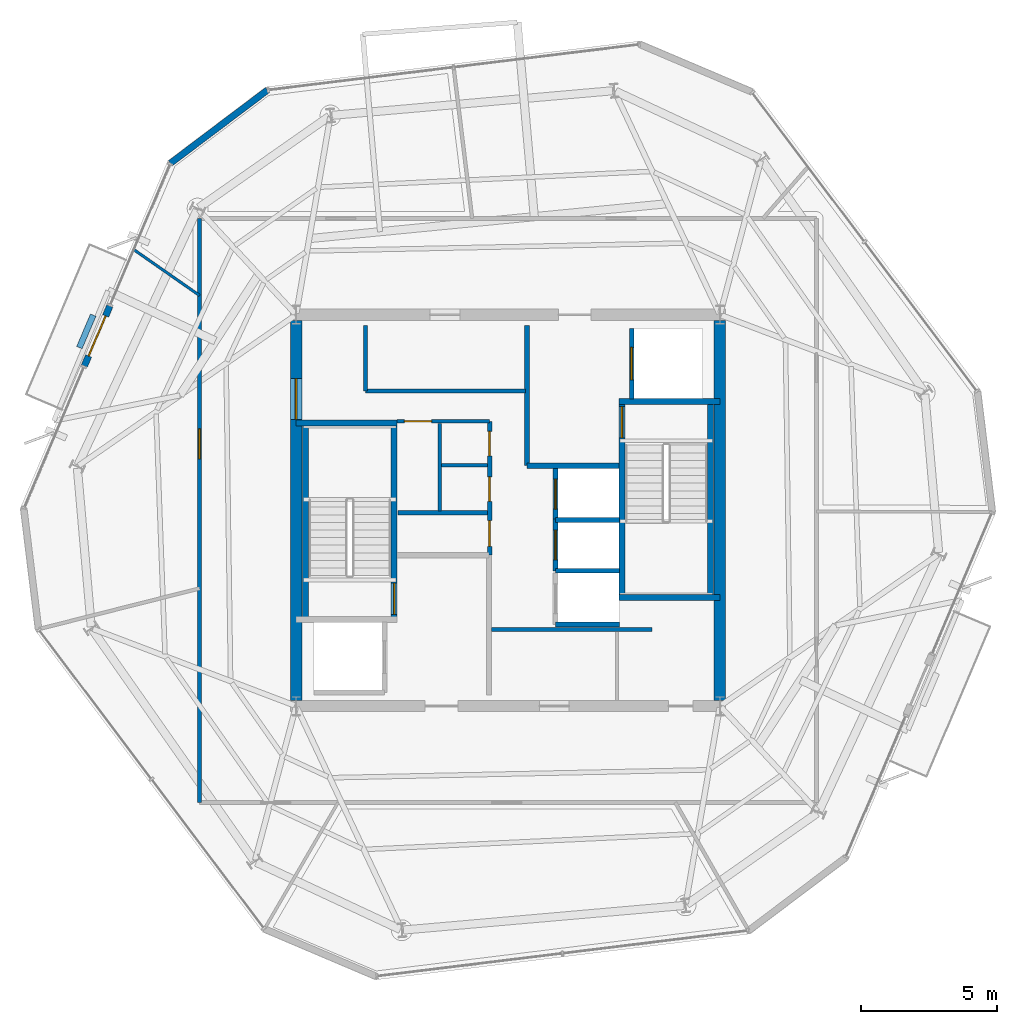
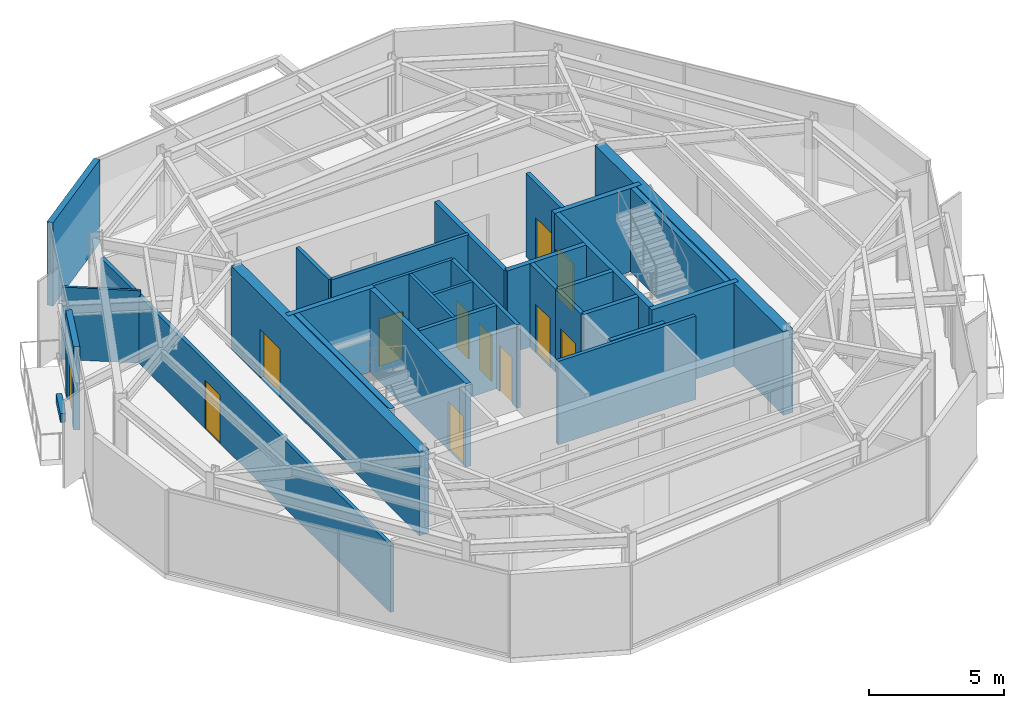
# One storey, part 7 of 11: 30 walls, 12 doors, 12 openings.
"""IFC4 building model written with IfcOpenShell, lengths in metres."""

from ifc_helpers import new_model, si_unit, direction, frame, frame_2d, origin, place, context, subcontext, project, spatial, rectangle, extrude, material, layer, layer_set, type_object, element, fill, save


model = new_model("IFC4")

# Units and contexts
model_context = context("Model", 3, precision=1e-05, world=origin(), true_north=direction((0.0, 1.0)))
body_context = subcontext(model_context, "Body", "Model", "MODEL_VIEW")
ifc_project = project(units=[si_unit("LENGTHUNIT", "METRE"), si_unit("AREAUNIT", "SQUARE_METRE"), si_unit("VOLUMEUNIT", "CUBIC_METRE"), si_unit("PLANEANGLEUNIT", "RADIAN"), si_unit("MASSUNIT", "GRAM", prefix="KILO")], contexts=[model_context])

# Site, building, storey
site_placement = place(None, origin())
site = spatial("IfcSite", under=ifc_project, at=site_placement, CompositionType="ELEMENT")
building_placement = place(site_placement, origin())
building = spatial("IfcBuilding", under=site, at=building_placement, Name="Kranzbogen Civic Tower", CompositionType="ELEMENT")
storey_placement = place(building_placement, frame((0.0, 0.0, 294.199951171875)))
storey = spatial("IfcBuildingStorey", under=building, at=storey_placement, Name="L71", CompositionType="ELEMENT", Elevation=294.199951171875)

# Walls
ifc_material_1 = material(Name="Double-Stud Acoustic Gypsum Partition")
ifc_layer_1 = layer(ifc_material_1, 0.14990234375, Name="Double-Stud Acoustic Gypsum Partition")
ifc_layer_set_1 = layer_set([ifc_layer_1], Name="Double-Stud Acoustic Gypsum Partition")
wall_type_1 = type_object("IfcWallType", Name="Acoustic Corridor and Clinical Partition 150 mm", PredefinedType="PARTITIONING", material=ifc_layer_set_1)
wall_1_placement = place(storey_placement, frame((24.39990234375, 20.610107421875, 0.0), z_axis=(0.0, 0.0, 1.0), x_axis=(1.0, 0.0, 0.0)))
element("IfcWall", 1, at=wall_1_placement, inside=storey, type_object=wall_type_1, Name="L71 records zone North wall", PredefinedType="PARTITIONING", context=body_context, shape_type="SweptSolid", body=[
    extrude(rectangle(XDim=5.900146484375, YDim=0.14990234375, at=frame_2d((2.9501953125, 0.0))), origin(), (0.0, 0.0, 1.0), 3.780029296875),
])
wall_2_placement = place(storey_placement, frame((19.75, 29.389892578125, 0.0), z_axis=(0.0, 0.0, 1.0), x_axis=(1.0, 0.0, 0.0)))
element("IfcWall", 2, at=wall_2_placement, inside=storey, type_object=wall_type_1, Name="L71 digital comms South wall", PredefinedType="PARTITIONING", context=body_context, shape_type="SweptSolid", body=[
    extrude(rectangle(XDim=5.89990234375, YDim=0.14990234375, at=frame_2d((2.949951171875, 0.0))), origin(), (0.0, 0.0, 1.0), 3.780029296875),
])
wall_3_placement = place(storey_placement, frame((19.75, 29.389892578125, 0.0), z_axis=(0.0, 0.0, 1.0), x_axis=(0.0, 1.0, 0.0)))
element("IfcWall", 3, at=wall_3_placement, inside=storey, type_object=wall_type_1, Name="L71 digital comms West wall", PredefinedType="PARTITIONING", context=body_context, shape_type="SweptSolid", body=[
    extrude(rectangle(XDim=2.41015625, YDim=0.14990234375, at=frame_2d((1.205078125, 0.0))), origin(), (0.0, 0.0, 1.0), 3.780029296875),
])

# Wall, opening, door
wall_4_placement = place(storey_placement, frame((13.64990234375, 14.25, 0.0), z_axis=(0.0, 0.0, 1.0), x_axis=(0.0, 1.0, 0.0)))
wall_4 = element("IfcWall", 4, at=wall_4_placement, inside=storey, type_object=wall_type_1, Name="L71 corridor partition 04", PredefinedType="PARTITIONING", context=body_context, shape_type="SweptSolid", body=[
    extrude(rectangle(XDim=21.5, YDim=0.14990234375, at=frame_2d((10.75, 0.0))), origin(), (0.0, 0.0, 1.0), 3.050048828125),
])
opening_1_placement = place(wall_4_placement, frame((12.64990234375, 0.0, 0.0)))
opening_1 = element("IfcOpeningElement", 5, at=opening_1_placement, cuts=wall_4, Name="Opening D-COR60", PredefinedType="OPENING", context=body_context, shape_type="SweptSolid", body=[
    extrude(rectangle(XDim=1.10009765625, YDim=2.199951171875, at=frame_2d((0.550048828125, 1.10009765625))), frame((0.0, 0.0849609375, 0.0), z_axis=(0.0, -1.0, 0.0), x_axis=(1.0, 0.0, 0.0)), (0.0, 0.0, 1.0), 0.169921875),
])
ifc_material_2 = material(Name="Oak Timber and Fire Core", Category="wood")
door_type_1 = type_object("IfcDoorType", Name="Corridor Acoustic Fire Door 1100x2200", OperationType="NOTDEFINED", PredefinedType="DOOR", material=ifc_material_2)
door_1_placement = place(opening_1_placement, origin())
door_1 = element("IfcDoor", 6, at=door_1_placement, inside=storey, type_object=door_type_1, Name="L71 Civic Reference Library door", OperationType="SINGLE_SWING_RIGHT", OverallHeight=2.199951171875, OverallWidth=1.10009765625, PredefinedType="DOOR", context=body_context, shape_type="SweptSolid", body=[
    extrude(rectangle(XDim=1.10009765625, YDim=2.199951171875, at=frame_2d((0.550048828125, 1.10009765625))), frame((0.0, 0.02490234375, 0.0), z_axis=(0.0, -1.0, 0.0), x_axis=(1.0, 0.0, 0.0)), (0.0, 0.0, 1.0), 0.050048828125),
])
fill(opening_1, door_1)

ifc_material_3 = material(Name="Insulated Metal-Stud Gypsum Partition")
ifc_layer_2 = layer(ifc_material_3, 0.125, Name="Insulated Metal-Stud Gypsum Partition")
ifc_layer_set_2 = layer_set([ifc_layer_2], Name="Insulated Metal-Stud Gypsum Partition")
wall_type_2 = type_object("IfcWallType", Name="Acoustic Inter-Room Partition 125 mm", PredefinedType="PARTITIONING", material=ifc_layer_set_2)
wall_5_placement = place(storey_placement, frame((20.919921875, 28.280029296875, 0.0), z_axis=(0.0, 0.0, 1.0), x_axis=(1.0, 0.0, 0.0)))
wall_5 = element("IfcWall", 7, at=wall_5_placement, inside=storey, type_object=wall_type_2, Name="L71 core auxiliary North wall", PredefinedType="PARTITIONING", context=body_context, shape_type="SweptSolid", body=[
    extrude(rectangle(XDim=3.405029296875, YDim=0.125, at=frame_2d((1.70263671875, 0.0))), origin(), (0.0, 0.0, 1.0), 3.780029296875),
])
opening_2_placement = place(wall_5_placement, frame((0.27001953125, 0.0, 0.0)))
opening_2 = element("IfcOpeningElement", 8, at=opening_2_placement, cuts=wall_5, Name="Opening D-RSR10", PredefinedType="OPENING", context=body_context, shape_type="SweptSolid", body=[
    extrude(rectangle(XDim=1.0, YDim=2.14990234375, at=frame_2d((0.5, 1.074951171875))), frame((0.0, 0.072509765625, 0.0), z_axis=(0.0, -1.0, 0.0), x_axis=(1.0, 0.0, 0.0)), (0.0, 0.0, 1.0), 0.14501953125),
])
door_type_2 = type_object("IfcDoorType", Name="Core Archive and Riser Fire Door 1000x2150", OperationType="NOTDEFINED", PredefinedType="DOOR", material=ifc_material_2)
door_2_placement = place(opening_2_placement, origin())
door_2 = element("IfcDoor", 9, at=door_2_placement, inside=storey, type_object=door_type_2, Name="L71 Floor Supply Store door", OperationType="SINGLE_SWING_RIGHT", OverallHeight=2.14990234375, OverallWidth=1.0, PredefinedType="DOOR", context=body_context, shape_type="SweptSolid", body=[
    extrude(rectangle(XDim=1.0, YDim=2.14990234375, at=frame_2d((0.5, 1.074951171875))), frame((0.0, 0.02490234375, 0.0), z_axis=(0.0, -1.0, 0.0), x_axis=(1.0, 0.0, 0.0)), (0.0, 0.0, 1.0), 0.050048828125),
])
fill(opening_2, door_2)

# Walls
wall_6_placement = place(storey_placement, frame((22.489990234375, 24.969970703125, 0.0), z_axis=(0.0, 0.0, 1.0), x_axis=(0.0, 1.0, 0.0)))
element("IfcWall", 10, at=wall_6_placement, inside=storey, type_object=wall_type_2, Name="L71 core auxiliary partition 3", PredefinedType="PARTITIONING", context=body_context, shape_type="SweptSolid", body=[
    extrude(rectangle(XDim=3.22998046875, YDim=0.125, at=frame_2d((1.614990234375, 0.0))), origin(), (0.0, 0.0, 1.0), 3.780029296875),
])
wall_7_placement = place(storey_placement, frame((22.550048828125, 26.659912109375, 0.0), z_axis=(0.0, 0.0, 1.0), x_axis=(1.0, 0.0, 0.0)))
element("IfcWall", 11, at=wall_7_placement, inside=storey, type_object=wall_type_2, Name="L71 core auxiliary partition 4", PredefinedType="PARTITIONING", context=body_context, shape_type="SweptSolid", body=[
    extrude(rectangle(XDim=1.699951171875, YDim=0.125, at=frame_2d((0.85009765625, 0.0))), origin(), (0.0, 0.0, 1.0), 3.780029296875),
])
ifc_material_4 = material(Name="Architectural Precast Terracotta Concrete C40/50", Category="masonry")
ifc_layer_3 = layer(ifc_material_4, 0.219970703125, Name="Architectural Precast Terracotta Concrete C40/50")
ifc_layer_set_3 = layer_set([ifc_layer_3], Name="Architectural Precast Terracotta Concrete C40/50")
wall_type_3 = type_object("IfcWallType", Name="Architectural Tree Planter Kerb Wall 220 mm", PredefinedType="USERDEFINED", material=ifc_layer_set_3)
wall_8_placement = place(storey_placement, frame((9.73193359375, 32.18701171875, 0.0), z_axis=(0.0, 0.0, 1.0), x_axis=(-0.390810390969, -0.920471204498, 0.0)))
element("IfcWall", 12, at=wall_8_placement, inside=storey, type_object=wall_type_3, Name="L71 landscaped tree balcony planter L71-TB1", ObjectType="PLANTER_WALL", PredefinedType="USERDEFINED", context=body_context, shape_type="SweptSolid", body=[
    extrude(rectangle(XDim=1.29931640625, YDim=0.219970703125, at=frame_2d((0.649658203125, 0.0))), origin(), (0.0, 0.0, 1.0), 0.400146484375),
])

# Wall, opening, door
ifc_material_5 = material(Name="Concrete C45/55", Category="concrete")
ifc_layer_4 = layer(ifc_material_5, 0.419921875, Name="Concrete C45/55")
ifc_layer_set_4 = layer_set([ifc_layer_4], Name="Concrete C45/55")
wall_type_4 = type_object("IfcWallType", Name="Central Core Shear Wall 420 mm", PredefinedType="SHEAR", material=ifc_layer_set_4)
wall_9_placement = place(storey_placement, frame((17.199951171875, 31.989990234375, 0.0), z_axis=(0.0, 0.0, 1.0), x_axis=(0.0, -1.0, 0.0)))
wall_9 = element("IfcWall", 13, at=wall_9_placement, inside=storey, type_object=wall_type_4, Name="L71 central core West shear wall", PredefinedType="SHEAR", context=body_context, shape_type="SweptSolid", body=[
    extrude(rectangle(XDim=13.97998046875, YDim=0.419921875, at=frame_2d((6.989990234375, 0.0))), origin(), (0.0, 0.0, 1.0), 3.780029296875),
])
opening_3_placement = place(wall_9_placement, frame((2.139892578125, 0.0, 0.0)))
opening_3 = element("IfcOpeningElement", 14, at=opening_3_placement, cuts=wall_9, Name="Opening D-DBL15", PredefinedType="OPENING", context=body_context, shape_type="SweptSolid", body=[
    extrude(rectangle(XDim=1.5, YDim=2.199951171875, at=frame_2d((0.75, 1.10009765625))), frame((0.0, 0.219970703125, 0.0), z_axis=(0.0, -1.0, 0.0), x_axis=(1.0, 0.0, 0.0)), (0.0, 0.0, 1.0), 0.43994140625),
])
ifc_material_6 = material(Name="Anodised Bronze and Glass", Category="glass")
door_type_3 = type_object("IfcDoorType", Name="Civic Lobby Double Door 1500x2200", OperationType="DOUBLE_DOOR_SINGLE_SWING", PredefinedType="DOOR", material=ifc_material_6)
door_3_placement = place(opening_3_placement, origin())
door_3 = element("IfcDoor", 15, at=door_3_placement, inside=storey, type_object=door_type_3, Name="L71 Central Lift Lobby West concourse door", OperationType="DOUBLE_DOOR_SINGLE_SWING", OverallHeight=2.199951171875, OverallWidth=1.5, PredefinedType="DOOR", context=body_context, shape_type="SweptSolid", body=[
    extrude(rectangle(XDim=1.5, YDim=2.199951171875, at=frame_2d((0.75, 1.10009765625))), frame((0.0, 0.02490234375, 0.0), z_axis=(0.0, -1.0, 0.0), x_axis=(1.0, 0.0, 0.0)), (0.0, 0.0, 1.0), 0.050048828125),
])
fill(opening_3, door_3)

# Wall
wall_10_placement = place(storey_placement, frame((32.800048828125, 18.010009765625, 0.0), z_axis=(0.0, 0.0, 1.0), x_axis=(0.0, 1.0, 0.0)))
element("IfcWall", 16, at=wall_10_placement, inside=storey, type_object=wall_type_4, Name="L71 central core East shear wall", PredefinedType="SHEAR", context=body_context, shape_type="SweptSolid", body=[
    extrude(rectangle(XDim=13.97998046875, YDim=0.419921875, at=frame_2d((6.989990234375, 0.0))), origin(), (0.0, 0.0, 1.0), 3.780029296875),
])

# Wall, opening, door
ifc_layer_5 = layer(ifc_material_5, 0.219970703125, Name="Concrete C45/55")
ifc_layer_set_5 = layer_set([ifc_layer_5], Name="Concrete C45/55")
wall_type_5 = type_object("IfcWallType", Name="Core Internal Stair Structural Wall 220 mm", PredefinedType="SOLIDWALL", material=ifc_layer_set_5)
wall_11_placement = place(storey_placement, frame((20.81005859375, 20.989990234375, 0.0), z_axis=(0.0, 0.0, 1.0), x_axis=(0.0, 1.0, 0.0)))
wall_11 = element("IfcWall", 17, at=wall_11_placement, inside=storey, type_object=wall_type_5, Name="L71 ST-T1 East structural stair wall", PredefinedType="SOLIDWALL", context=body_context, shape_type="SweptSolid", body=[
    extrude(rectangle(XDim=7.219970703125, YDim=0.219970703125, at=frame_2d((3.60986328125, 0.0))), origin(), (0.0, 0.0, 1.0), 3.780029296875),
])
opening_4_placement = place(wall_11_placement, frame((0.179931640625, 0.0, 0.0)))
opening_4 = element("IfcOpeningElement", 18, at=opening_4_placement, cuts=wall_11, Name="Opening D-ST90", PredefinedType="OPENING", context=body_context, shape_type="SweptSolid", body=[
    extrude(rectangle(XDim=1.14990234375, YDim=2.199951171875, at=frame_2d((0.574951171875, 1.10009765625))), frame((0.0, 0.1201171875, 0.0), z_axis=(0.0, -1.0, 0.0), x_axis=(1.0, 0.0, 0.0)), (0.0, 0.0, 1.0), 0.239990234375),
])
ifc_material_7 = material(Name="Steel S355", Category="steel")
door_type_4 = type_object("IfcDoorType", Name="Pressurized Stair and Lobby Fire Door 1150x2200", OperationType="NOTDEFINED", PredefinedType="DOOR", material=ifc_material_7)
door_4_placement = place(opening_4_placement, origin())
door_4 = element("IfcDoor", 19, at=door_4_placement, inside=storey, type_object=door_type_4, Name="L71 Stair ST-T1 fire door", OperationType="SINGLE_SWING_LEFT", OverallHeight=2.199951171875, OverallWidth=1.14990234375, PredefinedType="DOOR", context=body_context, shape_type="SweptSolid", body=[
    extrude(rectangle(XDim=1.14990234375, YDim=2.199951171875, at=frame_2d((0.574951171875, 1.10009765625))), frame((0.0, 0.02490234375, 0.0), z_axis=(0.0, -1.0, 0.0), x_axis=(1.0, 0.0, 0.0)), (0.0, 0.0, 1.0), 0.050048828125),
])
fill(opening_4, door_4)

# Walls
wall_12_placement = place(storey_placement, frame((17.199951171875, 28.2099609375, 0.0), z_axis=(0.0, 0.0, 1.0), x_axis=(1.0, 0.0, 0.0)))
element("IfcWall", 20, at=wall_12_placement, inside=storey, type_object=wall_type_5, Name="L71 ST-T1 North structural stair wall", PredefinedType="SOLIDWALL", context=body_context, shape_type="SweptSolid", body=[
    extrude(rectangle(XDim=3.719970703125, YDim=0.219970703125, at=frame_2d((1.85986328125, 0.0))), origin(), (0.0, 0.0, 1.0), 3.780029296875),
])
wall_13_placement = place(storey_placement, frame((17.554931640625, 28.2099609375, 0.0), z_axis=(0.0, 0.0, 1.0), x_axis=(0.0, -1.0, 0.0)))
element("IfcWall", 21, at=wall_13_placement, inside=storey, type_object=wall_type_5, Name="L71 ST-T1 West structural stair wall", PredefinedType="SOLIDWALL", context=body_context, shape_type="SweptSolid", body=[
    extrude(rectangle(XDim=7.219970703125, YDim=0.219970703125, at=frame_2d((3.60986328125, 0.0))), origin(), (0.0, 0.0, 1.0), 3.780029296875),
])

# Wall, opening, door
wall_14_placement = place(storey_placement, frame((29.18994140625, 21.7900390625, 0.0), z_axis=(0.0, 0.0, 1.0), x_axis=(0.0, 1.0, 0.0)))
wall_14 = element("IfcWall", 22, at=wall_14_placement, inside=storey, type_object=wall_type_5, Name="L71 ST-T2 West structural stair wall", PredefinedType="SOLIDWALL", context=body_context, shape_type="SweptSolid", body=[
    extrude(rectangle(XDim=7.219970703125, YDim=0.219970703125, at=frame_2d((3.60986328125, 0.0))), origin(), (0.0, 0.0, 1.0), 3.780029296875),
])
opening_5_placement = place(wall_14_placement, frame((5.8798828125, 0.0, 0.0)))
opening_5 = element("IfcOpeningElement", 23, at=opening_5_placement, cuts=wall_14, Name="Opening D-ST90", PredefinedType="OPENING", context=body_context, shape_type="SweptSolid", body=[
    extrude(rectangle(XDim=1.14990234375, YDim=2.199951171875, at=frame_2d((0.574951171875, 1.10009765625))), frame((0.0, 0.1201171875, 0.0), z_axis=(0.0, -1.0, 0.0), x_axis=(1.0, 0.0, 0.0)), (0.0, 0.0, 1.0), 0.239990234375),
])
door_5_placement = place(opening_5_placement, origin())
door_5 = element("IfcDoor", 24, at=door_5_placement, inside=storey, type_object=door_type_4, Name="L71 Stair ST-T2 fire door", OperationType="SINGLE_SWING_RIGHT", OverallHeight=2.199951171875, OverallWidth=1.14990234375, PredefinedType="DOOR", context=body_context, shape_type="SweptSolid", body=[
    extrude(rectangle(XDim=1.14990234375, YDim=2.199951171875, at=frame_2d((0.574951171875, 1.10009765625))), frame((0.0, 0.02490234375, 0.0), z_axis=(0.0, -1.0, 0.0), x_axis=(1.0, 0.0, 0.0)), (0.0, 0.0, 1.0), 0.050048828125),
])
fill(opening_5, door_5)

# Walls
for number, where, z_axis, x_axis, name in (
    (25, (29.080078125, 21.7900390625, 0.0), (0.0, 0.0, 1.0), (1.0, 0.0, 0.0), "L71 ST-T2 South structural stair wall"),
    (26, (29.080078125, 29.010009765625, 0.0), (0.0, 0.0, 1.0), (1.0, 0.0, 0.0), "L71 ST-T2 North structural stair wall"),
):
    element("IfcWall", number, at=place(storey_placement, frame(where, z_axis=z_axis, x_axis=x_axis)), inside=storey, type_object=wall_type_5, Name=name, PredefinedType="SOLIDWALL", context=body_context, shape_type="SweptSolid", body=[
        extrude(rectangle(XDim=3.719970703125, YDim=0.219970703125, at=frame_2d((1.85986328125, 0.0))), origin(), (0.0, 0.0, 1.0), 3.780029296875),
    ])
wall_15_placement = place(storey_placement, frame((32.445068359375, 29.010009765625, 0.0), z_axis=(0.0, 0.0, 1.0), x_axis=(0.0, -1.0, 0.0)))
element("IfcWall", 27, at=wall_15_placement, inside=storey, type_object=wall_type_5, Name="L71 ST-T2 East structural stair wall", PredefinedType="SOLIDWALL", context=body_context, shape_type="SweptSolid", body=[
    extrude(rectangle(XDim=7.219970703125, YDim=0.219970703125, at=frame_2d((3.60986328125, 0.0))), origin(), (0.0, 0.0, 1.0), 3.780029296875),
])
ifc_material_8 = material(Name="Demountable Aluminium and Gypsum Partition", Category="aluminium")
ifc_layer_6 = layer(ifc_material_8, 0.10009765625, Name="Demountable Aluminium and Gypsum Partition")
ifc_layer_set_6 = layer_set([ifc_layer_6], Name="Demountable Aluminium and Gypsum Partition")
wall_type_6 = type_object("IfcWallType", Name="Demountable Office Partition 100 mm", PredefinedType="MOVABLE", material=ifc_layer_set_6)
wall_16_placement = place(storey_placement, frame((13.64990234375, 32.908935546875, 0.0), z_axis=(0.0, 0.0, 1.0), x_axis=(-0.820311921153, 0.57191638551, 0.0)))
element("IfcWall", 28, at=wall_16_placement, inside=storey, type_object=wall_type_6, Name="L71 radial room partition 02", PredefinedType="MOVABLE", context=body_context, shape_type="SweptSolid", body=[
    extrude(rectangle(XDim=2.937744140625, YDim=0.10009765625, at=frame_2d((1.46875, 0.0))), origin(), (0.0, 0.0, 1.0), 3.280029296875),
])
ifc_material_9 = material(Name="Gypsum Fireboard and Concrete Block", Category="concrete")
ifc_layer_7 = layer(ifc_material_9, 0.199951171875, Name="Gypsum Fireboard and Concrete Block")
ifc_layer_set_7 = layer_set([ifc_layer_7], Name="Gypsum Fireboard and Concrete Block")
wall_type_7 = type_object("IfcWallType", Name="Fire-Rated Exit Passageway and Stair Wall 200 mm", PredefinedType="PARTITIONING", material=ifc_layer_set_7)
wall_17_placement = place(storey_placement, frame((25.699951171875, 26.64990234375, 0.0), z_axis=(0.0, 0.0, 1.0), x_axis=(0.0, 1.0, 0.0)))
element("IfcWall", 29, at=wall_17_placement, inside=storey, type_object=wall_type_7, Name="L71 East firefighting lobby West wall", PredefinedType="PARTITIONING", context=body_context, shape_type="SweptSolid", body=[
    extrude(rectangle(XDim=5.150146484375, YDim=0.199951171875, at=frame_2d((2.5751953125, 0.0))), origin(), (0.0, 0.0, 1.0), 3.780029296875),
])
wall_18_placement = place(storey_placement, frame((25.699951171875, 26.64990234375, 0.0), z_axis=(0.0, 0.0, 1.0), x_axis=(1.0, 0.0, 0.0)))
element("IfcWall", 30, at=wall_18_placement, inside=storey, type_object=wall_type_7, Name="L71 East firefighting lobby South wall", PredefinedType="PARTITIONING", context=body_context, shape_type="SweptSolid", body=[
    extrude(rectangle(XDim=3.380126953125, YDim=0.199951171875, at=frame_2d((1.68994140625, 0.0))), origin(), (0.0, 0.0, 1.0), 3.780029296875),
])
ifc_material_10 = material(Name="Gypsum Fireboard Shaftliner")
ifc_layer_8 = layer(ifc_material_10, 0.175048828125, Name="Gypsum Fireboard Shaftliner")
ifc_layer_set_8 = layer_set([ifc_layer_8], Name="Gypsum Fireboard Shaftliner")
wall_type_8 = type_object("IfcWallType", Name="Fire-Rated Lift and Service Shaft Wall 175 mm", PredefinedType="PARTITIONING", material=ifc_layer_set_8)
wall_19_placement = place(storey_placement, frame((26.75, 20.800048828125, 0.0), z_axis=(0.0, 0.0, 1.0), x_axis=(1.0, 0.0, 0.0)))
element("IfcWall", 31, at=wall_19_placement, inside=storey, type_object=wall_type_8, Name="L71 lift HP-01 side wall", PredefinedType="PARTITIONING", context=body_context, shape_type="SweptSolid", body=[
    extrude(rectangle(XDim=2.35009765625, YDim=0.175048828125, at=frame_2d((1.175048828125, 0.0))), origin(), (0.0, 0.0, 1.0), 3.780029296875),
])

# Wall, opening, door
wall_20_placement = place(storey_placement, frame((26.75, 22.77490234375, 0.0), z_axis=(0.0, 0.0, 1.0), x_axis=(0.0, 1.0, 0.0)))
wall_20 = element("IfcWall", 32, at=wall_20_placement, inside=storey, type_object=wall_type_8, Name="L71 lift HP-02 landing wall", PredefinedType="PARTITIONING", context=body_context, shape_type="SweptSolid", body=[
    extrude(rectangle(XDim=1.900146484375, YDim=0.175048828125, at=frame_2d((0.9501953125, 0.0))), origin(), (0.0, 0.0, 1.0), 3.780029296875),
])
opening_6_placement = place(wall_20_placement, frame((0.39990234375, 0.0, 0.0)))
opening_6 = element("IfcOpeningElement", 33, at=opening_6_placement, cuts=wall_20, Name="Opening LD-HP-02", PredefinedType="OPENING", context=body_context, shape_type="SweptSolid", body=[
    extrude(rectangle(XDim=1.10009765625, YDim=2.199951171875, at=frame_2d((0.550048828125, 1.10009765625))), frame((0.0, 0.09765625, 0.0), z_axis=(0.0, -1.0, 0.0), x_axis=(1.0, 0.0, 0.0)), (0.0, 0.0, 1.0), 0.195068359375),
])
ifc_material_11 = material(Name="Pale Anodised Aluminium", Category="aluminium")
door_type_5 = type_object("IfcDoorType", Name="Passenger Lift Sliding Landing Door 1100x2200", OperationType="DOUBLE_DOOR_SLIDING", PredefinedType="DOOR", material=ifc_material_11)
door_6_placement = place(opening_6_placement, origin())
door_6 = element("IfcDoor", 34, at=door_6_placement, inside=storey, type_object=door_type_5, Name="L71 lift HP-02 sliding landing door", OperationType="DOUBLE_DOOR_SLIDING", OverallHeight=2.199951171875, OverallWidth=1.10009765625, PredefinedType="DOOR", context=body_context, shape_type="SweptSolid", body=[
    extrude(rectangle(XDim=1.10009765625, YDim=2.199951171875, at=frame_2d((0.550048828125, 1.10009765625))), frame((0.0, 0.02490234375, 0.0), z_axis=(0.0, -1.0, 0.0), x_axis=(1.0, 0.0, 0.0)), (0.0, 0.0, 1.0), 0.050048828125),
])
fill(opening_6, door_6)

# Wall
wall_21_placement = place(storey_placement, frame((26.75, 22.77490234375, 0.0), z_axis=(0.0, 0.0, 1.0), x_axis=(1.0, 0.0, 0.0)))
element("IfcWall", 35, at=wall_21_placement, inside=storey, type_object=wall_type_8, Name="L71 lift HP-02 side wall", PredefinedType="PARTITIONING", context=body_context, shape_type="SweptSolid", body=[
    extrude(rectangle(XDim=2.35009765625, YDim=0.175048828125, at=frame_2d((1.175048828125, 0.0))), origin(), (0.0, 0.0, 1.0), 3.780029296875),
])

# Wall, opening, door
wall_22_placement = place(storey_placement, frame((26.75, 24.64990234375, 0.0), z_axis=(0.0, 0.0, 1.0), x_axis=(0.0, 1.0, 0.0)))
wall_22 = element("IfcWall", 36, at=wall_22_placement, inside=storey, type_object=wall_type_8, Name="L71 lift HP-03 landing wall", PredefinedType="PARTITIONING", context=body_context, shape_type="SweptSolid", body=[
    extrude(rectangle(XDim=1.900146484375, YDim=0.175048828125, at=frame_2d((0.9501953125, 0.0))), origin(), (0.0, 0.0, 1.0), 3.780029296875),
])
opening_7_placement = place(wall_22_placement, frame((0.39990234375, 0.0, 0.0)))
opening_7 = element("IfcOpeningElement", 37, at=opening_7_placement, cuts=wall_22, Name="Opening LD-HP-03", PredefinedType="OPENING", context=body_context, shape_type="SweptSolid", body=[
    extrude(rectangle(XDim=1.10009765625, YDim=2.199951171875, at=frame_2d((0.550048828125, 1.10009765625))), frame((0.0, 0.09765625, 0.0), z_axis=(0.0, -1.0, 0.0), x_axis=(1.0, 0.0, 0.0)), (0.0, 0.0, 1.0), 0.195068359375),
])
door_7_placement = place(opening_7_placement, origin())
door_7 = element("IfcDoor", 38, at=door_7_placement, inside=storey, type_object=door_type_5, Name="L71 lift HP-03 sliding landing door", OperationType="DOUBLE_DOOR_SLIDING", OverallHeight=2.199951171875, OverallWidth=1.10009765625, PredefinedType="DOOR", context=body_context, shape_type="SweptSolid", body=[
    extrude(rectangle(XDim=1.10009765625, YDim=2.199951171875, at=frame_2d((0.550048828125, 1.10009765625))), frame((0.0, 0.02490234375, 0.0), z_axis=(0.0, -1.0, 0.0), x_axis=(1.0, 0.0, 0.0)), (0.0, 0.0, 1.0), 0.050048828125),
])
fill(opening_7, door_7)

# Wall
wall_23_placement = place(storey_placement, frame((26.75, 24.64990234375, 0.0), z_axis=(0.0, 0.0, 1.0), x_axis=(1.0, 0.0, 0.0)))
element("IfcWall", 39, at=wall_23_placement, inside=storey, type_object=wall_type_8, Name="L71 lift HP-03 side wall", PredefinedType="PARTITIONING", context=body_context, shape_type="SweptSolid", body=[
    extrude(rectangle(XDim=2.35009765625, YDim=0.175048828125, at=frame_2d((1.175048828125, 0.0))), origin(), (0.0, 0.0, 1.0), 3.780029296875),
])

# Wall, opening, door
wall_24_placement = place(storey_placement, frame((29.550048828125, 29.10009765625, 0.0), z_axis=(0.0, 0.0, 1.0), x_axis=(0.0, 1.0, 0.0)))
wall_24 = element("IfcWall", 40, at=wall_24_placement, inside=storey, type_object=wall_type_8, Name="L71 lift FF-02 landing wall", PredefinedType="PARTITIONING", context=body_context, shape_type="SweptSolid", body=[
    extrude(rectangle(XDim=2.599853515625, YDim=0.175048828125, at=frame_2d((1.2998046875, 0.0))), origin(), (0.0, 0.0, 1.0), 3.780029296875),
])
opening_8_placement = place(wall_24_placement, frame((0.699951171875, 0.0, 0.0)))
opening_8 = element("IfcOpeningElement", 41, at=opening_8_placement, cuts=wall_24, Name="Opening LD-FF-02", PredefinedType="OPENING", context=body_context, shape_type="SweptSolid", body=[
    extrude(rectangle(XDim=1.199951171875, YDim=2.199951171875, at=frame_2d((0.60009765625, 1.10009765625))), frame((0.0, 0.09765625, 0.0), z_axis=(0.0, -1.0, 0.0), x_axis=(1.0, 0.0, 0.0)), (0.0, 0.0, 1.0), 0.195068359375),
])
door_type_6 = type_object("IfcDoorType", Name="Firefighting and Stretcher Lift Sliding Landing Door 1200x2200", OperationType="DOUBLE_DOOR_SLIDING", PredefinedType="DOOR", material=ifc_material_11)
door_8_placement = place(opening_8_placement, origin())
door_8 = element("IfcDoor", 42, at=door_8_placement, inside=storey, type_object=door_type_6, Name="L71 lift FF-02 sliding landing door", OperationType="DOUBLE_DOOR_SLIDING", OverallHeight=2.199951171875, OverallWidth=1.199951171875, PredefinedType="DOOR", context=body_context, shape_type="SweptSolid", body=[
    extrude(rectangle(XDim=1.199951171875, YDim=2.199951171875, at=frame_2d((0.60009765625, 1.10009765625))), frame((0.0, 0.02490234375, 0.0), z_axis=(0.0, -1.0, 0.0), x_axis=(1.0, 0.0, 0.0)), (0.0, 0.0, 1.0), 0.050048828125),
])
fill(opening_8, door_8)

# Wall
ifc_layer_9 = layer(ifc_material_11, 0.239990234375, Name="Pale Anodised Aluminium")
ifc_layer_set_9 = layer_set([ifc_layer_9], Name="Pale Anodised Aluminium")
wall_type_9 = type_object("IfcWallType", Name="Insulated Aluminium Facade Portal Wall 240 mm", PredefinedType="STANDARD", material=ifc_layer_set_9)
wall_25_placement = place(storey_placement, frame((16.14208984375, 40.466064453125, 0.0), z_axis=(0.0, 0.0, 1.0), x_axis=(-0.798560985543, -0.601913907772, 0.0)))
element("IfcWall", 43, at=wall_25_placement, inside=storey, type_object=wall_type_9, Name="L71 chamfered corner facade spandrel 1", PredefinedType="STANDARD", context=body_context, shape_type="SweptSolid", body=[
    extrude(rectangle(XDim=4.4658203125, YDim=0.239990234375, at=frame_2d((2.23291015625, 0.0))), origin(), (0.0, 0.0, 1.0), 3.780029296875),
])

# Wall, opening, door
wall_26_placement = place(storey_placement, frame((10.345947265625, 32.52392578125, 0.0), z_axis=(0.0, 0.0, 1.0), x_axis=(-0.390847654615, -0.920455382342, 0.0)))
wall_26 = element("IfcWall", 44, at=wall_26_placement, inside=storey, type_object=wall_type_9, Name="L71 exterior entrance portal wall 1", PredefinedType="STANDARD", context=body_context, shape_type="SweptSolid", body=[
    extrude(rectangle(XDim=2.39990234375, YDim=0.239990234375, at=frame_2d((1.199951171875, 0.0))), origin(), (0.0, 0.0, 1.0), 3.780029296875),
])
opening_9_placement = place(wall_26_placement, frame((0.39990234375, 0.0, 0.0)))
opening_9 = element("IfcOpeningElement", 45, at=opening_9_placement, cuts=wall_26, Name="Opening D-TER", PredefinedType="OPENING", context=body_context, shape_type="SweptSolid", body=[
    extrude(rectangle(XDim=1.60009765625, YDim=2.25, at=frame_2d((0.800048828125, 1.125))), frame((0.0, 0.1298828125, 0.0), z_axis=(0.0, -1.0, 0.0), x_axis=(1.0, 0.0, 0.0)), (0.0, 0.0, 1.0), 0.260009765625),
])
ifc_material_12 = material(Name="Anodised Bronze and Triple Glass", Category="glass")
door_type_7 = type_object("IfcDoorType", Name="Glazed Terrace and Balcony Double Door 1600x2250", OperationType="DOUBLE_DOOR_SINGLE_SWING", PredefinedType="DOOR", material=ifc_material_12)
door_9_placement = place(opening_9_placement, frame((1.60009765625, 0.0, 0.0), z_axis=(0.0, 0.0, 1.0), x_axis=(-1.0, 0.0, 0.0)))
door_9 = element("IfcDoor", 46, at=door_9_placement, inside=storey, type_object=door_type_7, Name="L71 tree balcony access door L71-TB1", OperationType="DOUBLE_DOOR_SINGLE_SWING", OverallHeight=2.25, OverallWidth=1.60009765625, PredefinedType="DOOR", context=body_context, shape_type="SweptSolid", body=[
    extrude(rectangle(XDim=1.60009765625, YDim=2.25, at=frame_2d((0.800048828125, 1.125))), frame((0.0, 0.02490234375, 0.0), z_axis=(0.0, -1.0, 0.0), x_axis=(1.0, 0.0, 0.0)), (0.0, 0.0, 1.0), 0.050048828125),
])
fill(opening_9, door_9)

# Wall, openings, doors
ifc_material_13 = material(Name="Moisture-Resistant Gypsum Assembly")
ifc_layer_10 = layer(ifc_material_13, 0.159912109375, Name="Moisture-Resistant Gypsum Assembly")
ifc_layer_set_10 = layer_set([ifc_layer_10], Name="Moisture-Resistant Gypsum Assembly")
wall_type_10 = type_object("IfcWallType", Name="Sanitary and Plumbing Wet Wall 160 mm", PredefinedType="PLUMBINGWALL", material=ifc_layer_set_10)
wall_27_placement = place(storey_placement, frame((24.324951171875, 23.35009765625, 0.0), z_axis=(0.0, 0.0, 1.0), x_axis=(0.0, 1.0, 0.0)))
wall_27 = element("IfcWall", 47, at=wall_27_placement, inside=storey, type_object=wall_type_10, Name="L71 core auxiliary East wall", PredefinedType="PLUMBINGWALL", context=body_context, shape_type="SweptSolid", body=[
    extrude(rectangle(XDim=4.929931640625, YDim=0.159912109375, at=frame_2d((2.46484375, 0.0))), origin(), (0.0, 0.0, 1.0), 3.780029296875),
])
opening_10_placement = place(wall_27_placement, frame((0.324951171875, 0.0, 0.0)))
opening_10 = element("IfcOpeningElement", 48, at=opening_10_placement, cuts=wall_27, Name="Opening D-AWC95", PredefinedType="OPENING", context=body_context, shape_type="SweptSolid", body=[
    extrude(rectangle(XDim=0.949951171875, YDim=2.10009765625, at=frame_2d((0.47509765625, 1.050048828125))), frame((0.0, 0.08984375, 0.0), z_axis=(0.0, -1.0, 0.0), x_axis=(1.0, 0.0, 0.0)), (0.0, 0.0, 1.0), 0.179931640625),
])
opening_11_placement = place(wall_27_placement, frame((1.985107421875, 0.0, 0.0)))
opening_11 = element("IfcOpeningElement", 49, at=opening_11_placement, cuts=wall_27, Name="Opening D-WC90", PredefinedType="OPENING", context=body_context, shape_type="SweptSolid", body=[
    extrude(rectangle(XDim=0.89990234375, YDim=2.10009765625, at=frame_2d((0.449951171875, 1.050048828125))), frame((0.0, 0.08984375, 0.0), z_axis=(0.0, -1.0, 0.0), x_axis=(1.0, 0.0, 0.0)), (0.0, 0.0, 1.0), 0.179931640625),
])
opening_12_placement = place(wall_27_placement, frame((3.659912109375, 0.0, 0.0)))
opening_12 = element("IfcOpeningElement", 50, at=opening_12_placement, cuts=wall_27, Name="Opening D-WC90", PredefinedType="OPENING", context=body_context, shape_type="SweptSolid", body=[
    extrude(rectangle(XDim=0.89990234375, YDim=2.10009765625, at=frame_2d((0.449951171875, 1.050048828125))), frame((0.0, 0.08984375, 0.0), z_axis=(0.0, -1.0, 0.0), x_axis=(1.0, 0.0, 0.0)), (0.0, 0.0, 1.0), 0.179931640625),
])
ifc_material_14 = material(Name="Moisture-Resistant Laminate")
door_type_8 = type_object("IfcDoorType", Name="Accessible Restroom Door 950x2100", OperationType="NOTDEFINED", PredefinedType="DOOR", material=ifc_material_14)
door_10_placement = place(opening_10_placement, origin())
door_10 = element("IfcDoor", 51, at=door_10_placement, inside=storey, type_object=door_type_8, Name="L71 Accessible Restroom door", OperationType="SINGLE_SWING_LEFT", OverallHeight=2.10009765625, OverallWidth=0.949951171875, PredefinedType="DOOR", context=body_context, shape_type="SweptSolid", body=[
    extrude(rectangle(XDim=0.949951171875, YDim=2.10009765625, at=frame_2d((0.47509765625, 1.050048828125))), frame((0.0, 0.02490234375, 0.0), z_axis=(0.0, -1.0, 0.0), x_axis=(1.0, 0.0, 0.0)), (0.0, 0.0, 1.0), 0.050048828125),
])
fill(opening_10, door_10)
door_type_9 = type_object("IfcDoorType", Name="Standard Restroom and Store Door 900x2100", OperationType="NOTDEFINED", PredefinedType="DOOR", material=ifc_material_14)
door_11_placement = place(opening_11_placement, origin())
door_11 = element("IfcDoor", 52, at=door_11_placement, inside=storey, type_object=door_type_9, Name="L71 Gender-Neutral Restroom door", OperationType="SINGLE_SWING_RIGHT", OverallHeight=2.10009765625, OverallWidth=0.89990234375, PredefinedType="DOOR", context=body_context, shape_type="SweptSolid", body=[
    extrude(rectangle(XDim=0.89990234375, YDim=2.10009765625, at=frame_2d((0.449951171875, 1.050048828125))), frame((0.0, 0.02490234375, 0.0), z_axis=(0.0, -1.0, 0.0), x_axis=(1.0, 0.0, 0.0)), (0.0, 0.0, 1.0), 0.050048828125),
])
fill(opening_11, door_11)
door_12_placement = place(opening_12_placement, origin())
door_12 = element("IfcDoor", 53, at=door_12_placement, inside=storey, type_object=door_type_9, Name="L71 Floor IT Patch Closet door", OperationType="SINGLE_SWING_LEFT", OverallHeight=2.10009765625, OverallWidth=0.89990234375, PredefinedType="DOOR", context=body_context, shape_type="SweptSolid", body=[
    extrude(rectangle(XDim=0.89990234375, YDim=2.10009765625, at=frame_2d((0.449951171875, 1.050048828125))), frame((0.0, 0.02490234375, 0.0), z_axis=(0.0, -1.0, 0.0), x_axis=(1.0, 0.0, 0.0)), (0.0, 0.0, 1.0), 0.050048828125),
])
fill(opening_12, door_12)

# Wall
wall_28_placement = place(storey_placement, frame((20.949951171875, 24.909912109375, 0.0), z_axis=(0.0, 0.0, 1.0), x_axis=(1.0, 0.0, 0.0)))
element("IfcWall", 54, at=wall_28_placement, inside=storey, type_object=wall_type_10, Name="L71 core auxiliary partition 2", PredefinedType="PLUMBINGWALL", context=body_context, shape_type="SweptSolid", body=[
    extrude(rectangle(XDim=3.300048828125, YDim=0.159912109375, at=frame_2d((1.64990234375, 0.0))), origin(), (0.0, 0.0, 1.0), 3.780029296875),
])

save(model, "model.ifc")
